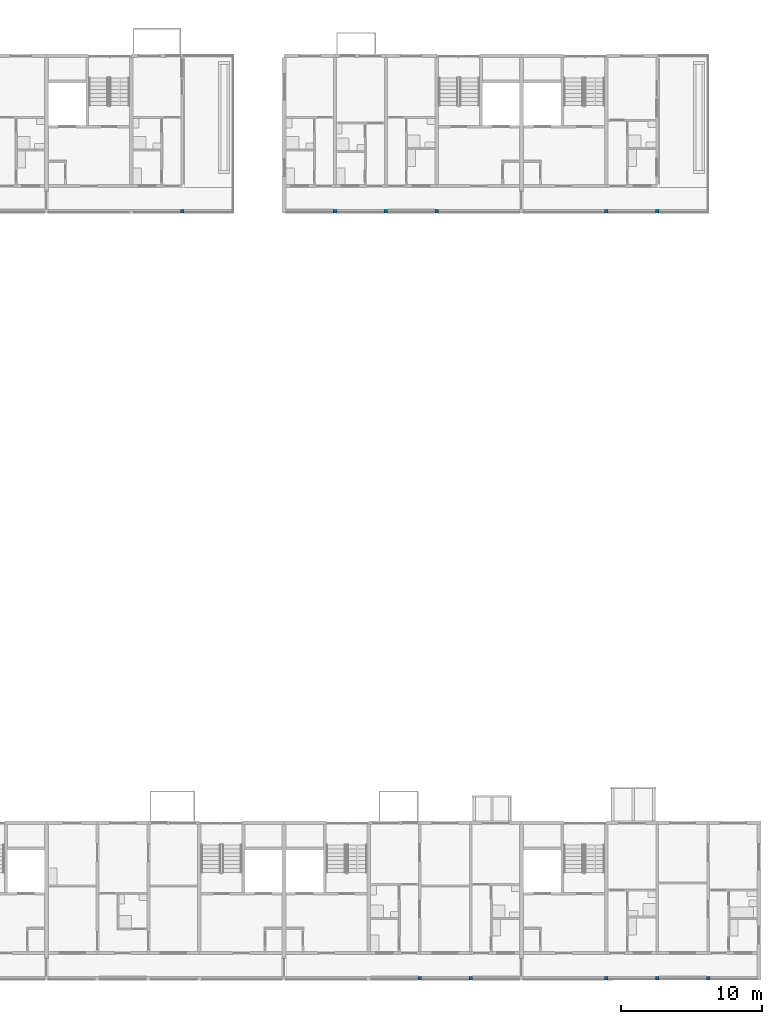
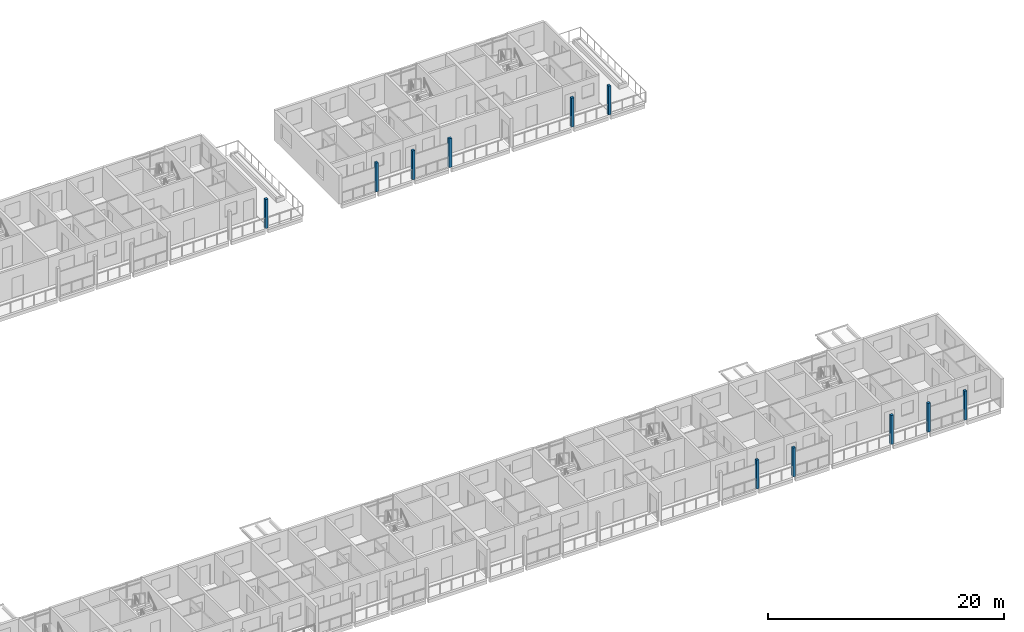
# One storey, part 4 of 94: 11 columns.
"""IFC4 building model written with IfcOpenShell, lengths in metres."""

from ifc_helpers import new_model, si_unit, direction, frame, origin, origin_2d, place, context, subcontext, project, spatial, rectangle, extrude, material, material_profile, profile_set, type_object, element, save


model = new_model("IFC4")

# Units and contexts
model_context = context("Model", 3, precision=1e-05, world=origin(), true_north=direction((0.0, 1.0)))
body_context = subcontext(model_context, "Body", "Model", "MODEL_VIEW")
ifc_project = project(units=[si_unit("LENGTHUNIT", "METRE"), si_unit("AREAUNIT", "SQUARE_METRE"), si_unit("VOLUMEUNIT", "CUBIC_METRE"), si_unit("PLANEANGLEUNIT", "RADIAN"), si_unit("MASSUNIT", "GRAM", prefix="KILO")], contexts=[model_context])

# Site, building, storey
site_placement = place(None, origin())
site = spatial("IfcSite", under=ifc_project, at=site_placement, CompositionType="ELEMENT")
building_placement = place(site_placement, origin())
building = spatial("IfcBuilding", under=site, at=building_placement, Name="Ridgestep Commons", CompositionType="ELEMENT")
storey_placement = place(building_placement, frame((0.0, 0.0, 24.0)))
storey = spatial("IfcBuildingStorey", under=building, at=storey_placement, Name="L08", CompositionType="ELEMENT", Elevation=24.0)

# Columns
ifc_material = material(Name="Precast concrete C40/50", Category="concrete")
ifc_material_profile = material_profile(ifc_material, rectangle(XDim=0.25, YDim=0.25, at=origin_2d()), Name="PC 250x250")
ifc_profile_set = profile_set([ifc_material_profile], Name="Precast concrete C40/50")
column_type = type_object("IfcColumnType", Name="Loggia column 250 x 250", PredefinedType="COLUMN", material=ifc_profile_set)
for number, where, z_axis, x_axis, name in (
    (1, (206.800048828125, 66.125, 0.0), (0.0, 0.0, 1.0), (1.0, 0.0, 0.0), "Loggia column C L08"),
    (2, (217.60009765625, 66.125, 0.0), (0.0, 0.0, 1.0), (1.0, 0.0, 0.0), "Loggia column C L08"),
    (3, (221.199951171875, 66.125, 0.0), (0.0, 0.0, 1.0), (1.0, 0.0, 0.0), "Loggia column C L08"),
    (4, (224.800048828125, 66.125, 0.0), (0.0, 0.0, 1.0), (1.0, 0.0, 0.0), "Loggia column C L08"),
    (5, (236.800048828125, 66.125, 0.0), (0.0, 0.0, 1.0), (1.0, 0.0, 0.0), "Loggia column C L08"),
    (6, (240.39990234375, 66.125, 0.0), (0.0, 0.0, 1.0), (1.0, 0.0, 0.0), "Loggia column C L08"),
    (7, (223.60009765625, 11.875, 0.0), (0.0, 0.0, 1.0), (1.0, 0.0, 0.0), "Loggia column D L08"),
    (8, (227.199951171875, 11.875, 0.0), (0.0, 0.0, 1.0), (1.0, 0.0, 0.0), "Loggia column D L08"),
    (9, (236.800048828125, 11.875, 0.0), (0.0, 0.0, 1.0), (1.0, 0.0, 0.0), "Loggia column D L08"),
    (10, (240.39990234375, 11.875, 0.0), (0.0, 0.0, 1.0), (1.0, 0.0, 0.0), "Loggia column D L08"),
    (11, (244.0, 11.875, 0.0), (0.0, 0.0, 1.0), (1.0, 0.0, 0.0), "Loggia column D L08"),
):
    element("IfcColumn", number, at=place(storey_placement, frame(where, z_axis=z_axis, x_axis=x_axis)), inside=storey, type_object=column_type, Name=name, PredefinedType="COLUMN", context=body_context, shape_type="SweptSolid", body=[
        extrude(rectangle(XDim=0.25, YDim=0.25, at=origin_2d()), origin(), (0.0, 0.0, 1.0), 3.0),
    ])

save(model, "model.ifc")
